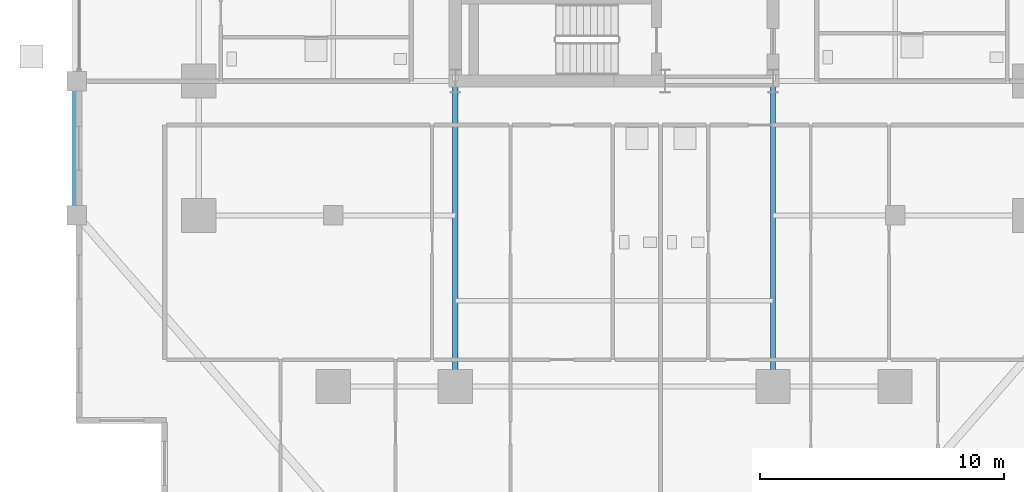
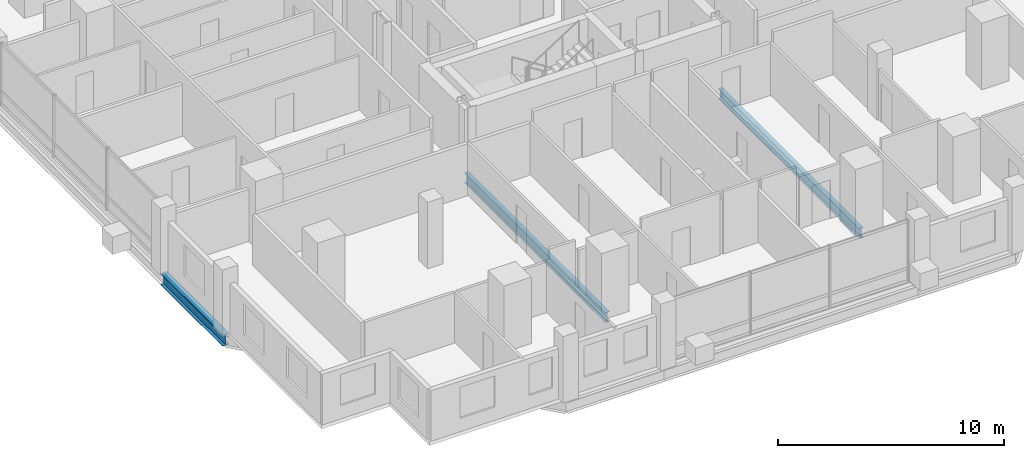
# One storey, part 3 of 23: 3 beams.
"""IFC4 building model written with IfcOpenShell, lengths in metres."""

import ifcopenshell
import ifcopenshell.guid

model = None  # the IFC model being written
_history = None  # IfcOwnerHistory: only IFC2X3 demands one
_inside = {}  # id of a spatial element -> (the spatial element, [elements in it])
_under = {}  # id of a project, library or spatial element -> (it, [spatial elements below it])
_declared = {}  # id of a project -> (the project, [libraries it declares])
_typed = {}  # id of a type object -> (the type object, [elements of that type])
_made_of = {}  # id of a material, layer set ... -> (it, [elements and type objects made of it])


def new_model(schema):
    """Start an empty IFC model of exactly this schema.

    Asked for "IFC4X3", IfcOpenShell would pick the latest addendum, in which some entities
    have other attributes; the version numbers below select the first issue.
    IFC2X3 requires an IfcOwnerHistory on every rooted entity: one is made here for all.
    """
    global model, _history
    if schema == "IFC4X3":
        model = ifcopenshell.file(schema_version=(4, 3, 0, 0))
    else:
        model = ifcopenshell.file(schema=schema)
    _inside.clear()
    _under.clear()
    _declared.clear()
    _typed.clear()
    _made_of.clear()
    _history = None
    if model.schema == "IFC2X3":
        org = make("IfcOrganization", Name="unknown")
        user = make(
            "IfcPersonAndOrganization",
            ThePerson=make("IfcPerson", FamilyName="unknown"),
            TheOrganization=org,
        )
        app = make(
            "IfcApplication",
            ApplicationDeveloper=org,
            Version="unknown",
            ApplicationFullName="unknown",
            ApplicationIdentifier="unknown",
        )
        _history = make(
            "IfcOwnerHistory",
            OwningUser=user,
            OwningApplication=app,
            ChangeAction="ADDED",
            CreationDate=0,
        )
    return model


def make(cls, **values):
    """One entity of the class cls with the attributes given. An attribute that is None is left unset."""
    return model.create_entity(
        cls, **{name: value for name, value in values.items() if value is not None}
    )


def rooted(cls, **values):
    """An entity with a GlobalId (a new one), such as an element, a storey or a relation."""
    return make(cls, GlobalId=ifcopenshell.guid.new(), OwnerHistory=_history, **values)


def si_unit(unit_type, name, prefix=None):
    """IfcSIUnit, for example si_unit("LENGTHUNIT", "METRE", prefix="MILLI")."""
    return make("IfcSIUnit", UnitType=unit_type, Prefix=prefix, Name=name)


def assignment(units):
    """IfcUnitAssignment: the units of a project."""
    return None if units is None else make("IfcUnitAssignment", Units=units)


def point(xyz):
    """IfcCartesianPoint."""
    return None if xyz is None else make("IfcCartesianPoint", Coordinates=xyz)


def direction(xyz):
    """IfcDirection."""
    return None if xyz is None else make("IfcDirection", DirectionRatios=xyz)


def frame(location, z_axis=None, x_axis=None):
    """IfcAxis2Placement3D, a coordinate frame: its origin and axes. An axis left out is left unset."""
    return make(
        "IfcAxis2Placement3D",
        Location=point(location),
        Axis=direction(z_axis),
        RefDirection=direction(x_axis),
    )


def frame_2d(location, x_axis=None):
    """IfcAxis2Placement2D, a coordinate frame in the plane: its origin and x axis."""
    return make(
        "IfcAxis2Placement2D", Location=point(location), RefDirection=direction(x_axis)
    )


def origin():
    """The frame at (0, 0, 0) with its axes left unset."""
    return frame((0.0, 0.0, 0.0))


def origin_2d():
    """The frame at (0, 0) in the plane with its x axis left unset."""
    return frame_2d((0.0, 0.0))


def place(relative_to, where):
    """IfcLocalPlacement: puts the frame where relative to a parent placement (None: the world)."""
    return make(
        "IfcLocalPlacement", PlacementRelTo=relative_to, RelativePlacement=where
    )


def context(
    kind, dimensions, precision=None, world=None, true_north=None, identifier=None
):
    """IfcGeometricRepresentationContext, for example the 3D "Model" context."""
    return make(
        "IfcGeometricRepresentationContext",
        ContextIdentifier=identifier,
        ContextType=kind,
        CoordinateSpaceDimension=dimensions,
        Precision=precision,
        WorldCoordinateSystem=world,
        TrueNorth=true_north,
    )


def subcontext(parent, identifier, kind, view, scale=None):
    """IfcGeometricRepresentationSubContext, for example "Body" below "Model"."""
    return make(
        "IfcGeometricRepresentationSubContext",
        ContextIdentifier=identifier,
        ContextType=kind,
        ParentContext=parent,
        TargetScale=scale,
        TargetView=view,
    )


def project(units=None, contexts=None):
    """IfcProject with its units and contexts."""
    return rooted(
        "IfcProject",
        Name="project",
        RepresentationContexts=contexts,
        UnitsInContext=assignment(units),
    )


def spatial(cls, under=None, at=None, **own):
    """A site, building, storey or space (cls), placed at a placement, below another one or the project."""
    s = rooted(cls, ObjectPlacement=at, **own)
    if under is not None:
        _under.setdefault(under.id(), (under, []))[1].append(s)
    return s


def profile(cls, at=None, kind="AREA", **sizes):
    """A parametric profile (cls). Its sizes go by their IFC names, for example OverallWidth=200.0."""
    return make(cls, ProfileType=kind, Position=at, **sizes)


def i_section(**sizes):
    """IfcIShapeProfileDef."""
    return profile("IfcIShapeProfileDef", **sizes)


def extrude(swept, where, along, depth):
    """IfcExtrudedAreaSolid: the profile swept, set in the frame where, extruded along a direction by depth."""
    return make(
        "IfcExtrudedAreaSolid",
        SweptArea=swept,
        Position=where,
        ExtrudedDirection=direction(along),
        Depth=depth,
    )


def shape(context_of_items, identifier, shape_type, items):
    """IfcShapeRepresentation: the items that make up one representation, for example the "Body"."""
    return make(
        "IfcShapeRepresentation",
        ContextOfItems=context_of_items,
        RepresentationIdentifier=identifier,
        RepresentationType=shape_type,
        Items=items,
    )


def material(Name=None, Category=None):
    """IfcMaterial."""
    return make("IfcMaterial", Name=Name, Category=Category)


def material_profile(
    of_material, cross_section, Name=None, Category=None, Priority=None
):
    """IfcMaterialProfile: a cross section and its material."""
    return make(
        "IfcMaterialProfile",
        Name=Name,
        Material=of_material,
        Profile=cross_section,
        Priority=Priority,
        Category=Category,
    )


def profile_set(profiles, Name=None, composite=None):
    """IfcMaterialProfileSet."""
    return make(
        "IfcMaterialProfileSet",
        Name=Name,
        MaterialProfiles=profiles,
        CompositeProfile=composite,
    )


def made_of(thing, what):
    """Note that an element or type object is made of a material, layer set ...; save() writes the relation."""
    if what is not None:
        _made_of.setdefault(what.id(), (what, []))[1].append(thing)
    return thing


def type_object(cls, material=None, **own):
    """A type object (cls), such as IfcWallType, which elements share."""
    return made_of(rooted(cls, **own), material)


def element(
    cls,
    number,
    at=None,
    inside=None,
    cuts=None,
    type_object=None,
    material=None,
    context=None,
    identifier="Body",
    shape_type=None,
    held_by="IfcProductDefinitionShape",
    body=None,
    shapes=None,
    **own,
):
    """One element of the class cls, such as IfcWall. Its Tag is "e" and its number.

    at: its placement. inside: the storey or other place that contains it. cuts: it is an
    opening in that element (IfcRelVoidsElement). A single representation is given by context,
    identifier, shape_type and body (its items); several are given by shapes. held_by: the class
    of the entity that holds the representations. save() writes the other relations.
    """
    e = rooted(cls, Tag="e%d" % number, ObjectPlacement=at, **own)
    if body is not None:
        shapes = [shape(context, identifier, shape_type, body)]
    if shapes is not None:
        e.Representation = make(held_by, Representations=shapes)
    if inside is not None:
        _inside.setdefault(inside.id(), (inside, []))[1].append(e)
    if cuts is not None:
        rooted(
            "IfcRelVoidsElement", RelatingBuildingElement=cuts, RelatedOpeningElement=e
        )
    if type_object is not None:
        _typed.setdefault(type_object.id(), (type_object, []))[1].append(e)
    return made_of(e, material)


def aggregate(whole, parts):
    """IfcRelAggregates: a whole, such as a stair, and the parts it consists of."""
    return rooted("IfcRelAggregates", RelatingObject=whole, RelatedObjects=parts)


def save(model, path):
    """Write the relations noted so far, then the file.

    IfcRelAggregates (storeys below a building ...), IfcRelContainedInSpatialStructure (elements
    in a storey), IfcRelDefinesByType, IfcRelAssociatesMaterial and IfcRelDeclares: one each for
    every whole, place, type object, material and project.
    """
    for whole, parts in _under.values():
        aggregate(whole, parts)
    for where, things in _inside.values():
        rooted(
            "IfcRelContainedInSpatialStructure",
            RelatedElements=things,
            RelatingStructure=where,
        )
    for kind, things in _typed.values():
        rooted("IfcRelDefinesByType", RelatedObjects=things, RelatingType=kind)
    for what, things in _made_of.values():
        rooted("IfcRelAssociatesMaterial", RelatedObjects=things, RelatingMaterial=what)
    for by, libraries in _declared.values():
        rooted("IfcRelDeclares", RelatingContext=by, RelatedDefinitions=libraries)
    model.write(path)


model = new_model("IFC4")

# Units and contexts
model_context = context("Model", 3, precision=1e-05, world=origin(), true_north=direction((0.0, 1.0)))
body_context = subcontext(model_context, "Body", "Model", "MODEL_VIEW")
ifc_project = project(units=[si_unit("LENGTHUNIT", "METRE"), si_unit("AREAUNIT", "SQUARE_METRE"), si_unit("VOLUMEUNIT", "CUBIC_METRE"), si_unit("PLANEANGLEUNIT", "RADIAN"), si_unit("MASSUNIT", "GRAM", prefix="KILO")], contexts=[model_context])

# Site, building, storey
site_placement = place(None, origin())
site = spatial("IfcSite", under=ifc_project, at=site_placement, CompositionType="ELEMENT")
building_placement = place(site_placement, origin())
building = spatial("IfcBuilding", under=site, at=building_placement, Name="Barlavira Tower and Art Museum", CompositionType="ELEMENT")
storey_placement = place(building_placement, frame((0.0, 0.0, 54.0)))
storey = spatial("IfcBuildingStorey", under=building, at=storey_placement, Name="L12", CompositionType="ELEMENT", Elevation=54.0)

# Beams
ifc_material = material(Name="Steel S355", Category="steel")
ifc_material_profile_1 = material_profile(ifc_material, i_section(OverallWidth=0.327880859375, OverallDepth=0.62890625, WebThickness=0.013916015625, FlangeThickness=0.021484375, at=origin_2d()), Name="W610x174.0")
ifc_profile_set_1 = profile_set([ifc_material_profile_1], Name="Steel S355")
beam_type_1 = type_object("IfcBeamType", Name="Perimeter Spandrel Edge Beam W610x174 Steel S355", PredefinedType="SPANDREL", material=ifc_profile_set_1)
beam_placement = place(storey_placement, frame((-22.0, -13.0, -0.534423828125), z_axis=(0.0, 1.0, 0.0), x_axis=(-1.0, 0.0, 0.0)))
element("IfcBeam", 1, at=beam_placement, inside=storey, type_object=beam_type_1, Name="L12 Spandrel 15", PredefinedType="SPANDREL", context=body_context, shape_type="SweptSolid", body=[
    extrude(i_section(OverallWidth=0.327880859375, OverallDepth=0.62890625, WebThickness=0.013916015625, FlangeThickness=0.021484375, at=origin_2d()), origin(), (0.0, 0.0, 1.0), 5.5),
])
ifc_material_profile_2 = material_profile(ifc_material, i_section(OverallWidth=0.214111328125, OverallDepth=0.549072265625, WebThickness=0.0146484375, FlangeThickness=0.023681640625, at=origin_2d()), Name="W530x138.0")
ifc_profile_set_2 = profile_set([ifc_material_profile_2], Name="Steel S355")
beam_type_2 = type_object("IfcBeamType", Name="Zone 1 Primary Floor Girder W530x138 Steel S355", PredefinedType="BEAM", material=ifc_profile_set_2)
for number, where, z_axis, x_axis, name in (
    (2, (-6.5, -20.0, -0.494384765625), (0.0, 1.0, 0.0), (-1.0, 0.0, 0.0), "L12 Girder R-S1"),
    (3, (6.5, -20.0, -0.494384765625), (0.0, 1.0, 0.0), (-1.0, 0.0, 0.0), "L12 Girder R-S2"),
):
    element("IfcBeam", number, at=place(storey_placement, frame(where, z_axis=z_axis, x_axis=x_axis)), inside=storey, type_object=beam_type_2, Name=name, PredefinedType="BEAM", context=body_context, shape_type="SweptSolid", body=[
        extrude(i_section(OverallWidth=0.214111328125, OverallDepth=0.549072265625, WebThickness=0.0146484375, FlangeThickness=0.023681640625, at=origin_2d()), origin(), (0.0, 0.0, 1.0), 12.5),
    ])

save(model, "model.ifc")
